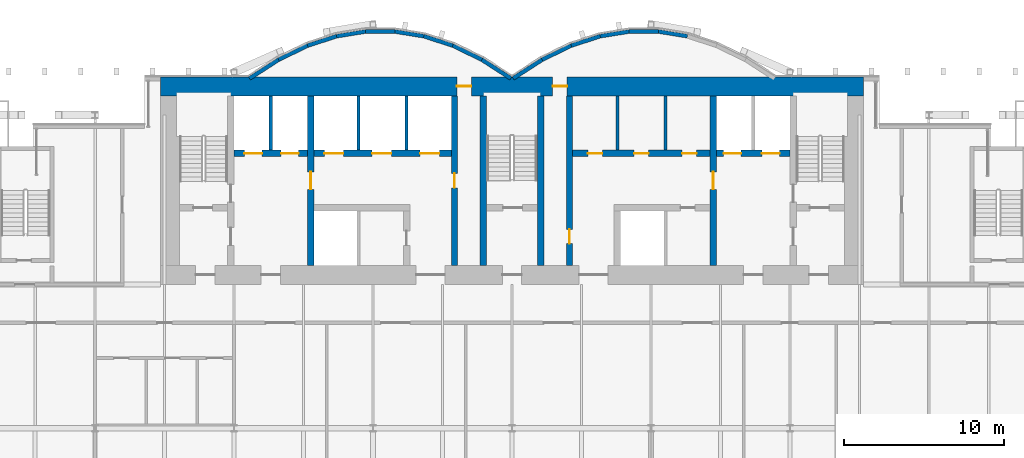
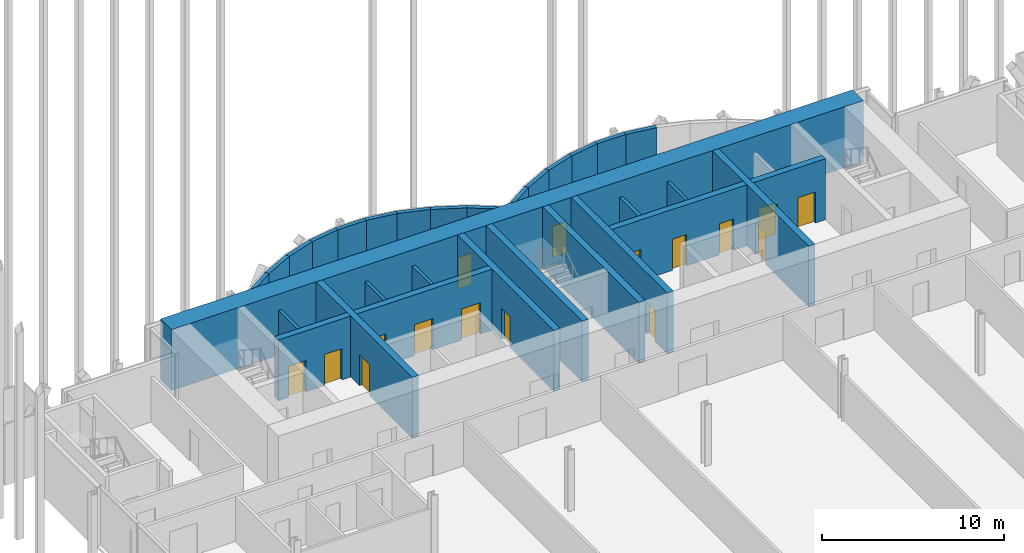
# One storey, part 19 of 22: 29 walls, 16 doors, 16 openings.
"""IFC4 building model written with IfcOpenShell, lengths in metres."""

from ifc_helpers import new_model, si_unit, direction, frame, frame_2d, origin, place, context, subcontext, project, spatial, rectangle, extrude, material, layer, layer_set, layer_usage, type_object, element, fill, save


model = new_model("IFC4")

# Units and contexts
model_context = context("Model", 3, precision=1e-05, world=origin(), true_north=direction((0.0, 1.0)))
body_context = subcontext(model_context, "Body", "Model", "MODEL_VIEW")
ifc_project = project(units=[si_unit("LENGTHUNIT", "METRE"), si_unit("AREAUNIT", "SQUARE_METRE"), si_unit("VOLUMEUNIT", "CUBIC_METRE"), si_unit("PLANEANGLEUNIT", "RADIAN"), si_unit("MASSUNIT", "GRAM", prefix="KILO")], contexts=[model_context])

# Site, building, storey
site_placement = place(None, origin())
site = spatial("IfcSite", under=ifc_project, at=site_placement, CompositionType="ELEMENT")
building_placement = place(site_placement, origin())
building = spatial("IfcBuilding", under=site, at=building_placement, Name="Bicima Exchange Tower", CompositionType="ELEMENT")
storey_placement = place(building_placement, frame((0.0, 0.0, 89.89990234375)))
storey = spatial("IfcBuildingStorey", under=building, at=storey_placement, Name="L18", CompositionType="ELEMENT", Elevation=89.89990234375)

# Walls
ifc_material_1 = material(Name="Gypsum board partition")
ifc_layer_1 = layer(ifc_material_1, 0.199951171875)
ifc_layer_set_1 = layer_set([ifc_layer_1], Name="Gypsum board partition")
wall_type_1 = type_object("IfcWallType", Name="Fire-rated gypsum partition 200 EI120", PredefinedType="PARTITIONING", material=ifc_layer_set_1)
for number, where, z_axis, x_axis, name in (
    (1, (-15.10009765625, -4.60009765625, 0.0), (0.0, 0.0, 1.0), (0.0, 1.0, 0.0), "partition wall 9"),
    (2, (-9.60009765625, -4.60009765625, 0.0), (0.0, 0.0, 1.0), (0.0, 1.0, 0.0), "partition wall 12"),
    (3, (-6.60009765625, -4.60009765625, 0.0), (0.0, 0.0, 1.0), (0.0, 1.0, 0.0), "partition wall 14"),
):
    element("IfcWall", number, at=place(storey_placement, frame(where, z_axis=z_axis, x_axis=x_axis)), inside=storey, type_object=wall_type_1, Name=name, PredefinedType="PARTITIONING", context=body_context, shape_type="SweptSolid", body=[
        extrude(rectangle(XDim=3.400146484375, YDim=0.199951171875, at=frame_2d((1.7001953125, 0.0))), origin(), (0.0, 0.0, 1.0), 3.018310546875),
    ])
ifc_layer_2 = layer(ifc_material_1, 0.199951171875)
ifc_layer_set_2 = layer_set([ifc_layer_2], Name="Gypsum board partition")
wall_type_2 = type_object("IfcWallType", Name="Fire-rated gypsum partition 200 EI60", PredefinedType="PARTITIONING", material=ifc_layer_set_2)
for number, where, z_axis, x_axis, name in (
    (4, (6.60009765625, -4.60009765625, 0.0), (0.0, 0.0, 1.0), (0.0, 1.0, 0.0), "partition wall 20"),
    (5, (9.60009765625, -4.60009765625, 0.0), (0.0, 0.0, 1.0), (0.0, 1.0, 0.0), "partition wall 22"),
):
    element("IfcWall", number, at=place(storey_placement, frame(where, z_axis=z_axis, x_axis=x_axis)), inside=storey, type_object=wall_type_2, Name=name, PredefinedType="PARTITIONING", context=body_context, shape_type="SweptSolid", body=[
        extrude(rectangle(XDim=3.400146484375, YDim=0.199951171875, at=frame_2d((1.7001953125, 0.0))), origin(), (0.0, 0.0, 1.0), 3.018310546875),
    ])

# Wall, openings, doors
ifc_material_2 = material(Name="Concrete C60/75", Category="concrete")
ifc_layer_3 = layer(ifc_material_2, 1.199951171875)
ifc_layer_set_3 = layer_set([ifc_layer_3], Name="Concrete C60/75")
wall_type_3 = type_object("IfcWallType", Name="RC core wall 1200 C60/75", PredefinedType="SHEAR", material=ifc_layer_set_3)
wall_1_placement = place(storey_placement, frame((-22.0, -0.60009765625, 0.0), z_axis=(0.0, 0.0, 1.0), x_axis=(1.0, 0.0, 0.0)))
wall_1 = element("IfcWall", 6, at=wall_1_placement, inside=storey, type_object=wall_type_3, Name="Core wall north", PredefinedType="SHEAR", context=body_context, shape_type="SweptSolid", body=[
    extrude(rectangle(XDim=44.0, YDim=1.199951171875, at=frame_2d((22.0, 0.0))), origin(), (0.0, 0.0, 1.0), 4.10009765625),
])
opening_1_placement = place(wall_1_placement, frame((18.550048828125, 0.0, 0.0)))
opening_1 = element("IfcOpeningElement", 7, at=opening_1_placement, cuts=wall_1, Name="Opening L18-C17", PredefinedType="OPENING", context=body_context, shape_type="SweptSolid", body=[
    extrude(rectangle(XDim=0.89990234375, YDim=2.10009765625, at=frame_2d((0.449951171875, 1.050048828125))), frame((0.0, 0.61181640625, 0.0), z_axis=(0.0, -1.0, 0.0), x_axis=(1.0, 0.0, 0.0)), (0.0, 0.0, 1.0), 1.223876953125),
])
opening_2_placement = place(wall_1_placement, frame((24.550048828125, 0.0, 0.0)))
opening_2 = element("IfcOpeningElement", 8, at=opening_2_placement, cuts=wall_1, Name="Opening L18-C18", PredefinedType="OPENING", context=body_context, shape_type="SweptSolid", body=[
    extrude(rectangle(XDim=0.89990234375, YDim=2.10009765625, at=frame_2d((0.449951171875, 1.050048828125))), frame((0.0, 0.61181640625, 0.0), z_axis=(0.0, -1.0, 0.0), x_axis=(1.0, 0.0, 0.0)), (0.0, 0.0, 1.0), 1.223876953125),
])
ifc_material_3 = material(Name="Steel fire door leaf", Category="steel")
door_type_1 = type_object("IfcDoorType", Name="Door 900 swing FD30S", OperationType="SINGLE_SWING_LEFT", PredefinedType="DOOR", material=ifc_material_3)
door_1_placement = place(opening_1_placement, origin())
door_1 = element("IfcDoor", 9, at=door_1_placement, inside=storey, type_object=door_type_1, Name="Core door", OperationType="SINGLE_SWING_LEFT", OverallHeight=2.10009765625, OverallWidth=0.89990234375, PredefinedType="DOOR", context=body_context, shape_type="SweptSolid", body=[
    extrude(rectangle(XDim=0.89990234375, YDim=2.10009765625, at=frame_2d((0.449951171875, 1.050048828125))), frame((0.0, 0.02490234375, 0.0), z_axis=(0.0, -1.0, 0.0), x_axis=(1.0, 0.0, 0.0)), (0.0, 0.0, 1.0), 0.050048828125),
])
fill(opening_1, door_1)
door_2_placement = place(opening_2_placement, origin())
door_2 = element("IfcDoor", 10, at=door_2_placement, inside=storey, type_object=door_type_1, Name="Core door", OperationType="SINGLE_SWING_LEFT", OverallHeight=2.10009765625, OverallWidth=0.89990234375, PredefinedType="DOOR", context=body_context, shape_type="SweptSolid", body=[
    extrude(rectangle(XDim=0.89990234375, YDim=2.10009765625, at=frame_2d((0.449951171875, 1.050048828125))), frame((0.0, 0.02490234375, 0.0), z_axis=(0.0, -1.0, 0.0), x_axis=(1.0, 0.0, 0.0)), (0.0, 0.0, 1.0), 0.050048828125),
])
fill(opening_2, door_2)

# Walls
ifc_material_4 = material(Name="Concrete C50/60", Category="concrete")
ifc_layer_4 = layer(ifc_material_4, 0.39990234375)
ifc_layer_set_4 = layer_set([ifc_layer_4], Name="Concrete C50/60")
wall_type_4 = type_object("IfcWallType", Name="RC core wall 400 C50/60", PredefinedType="SHEAR", material=ifc_layer_set_4)
for number, where, z_axis, x_axis, name in (
    (11, (-1.800048828125, -11.800048828125, 0.0), (0.0, 0.0, 1.0), (0.0, 1.0, 0.0), "stair wall 16"),
    (12, (1.800048828125, -11.800048828125, 0.0), (0.0, 0.0, 1.0), (0.0, 1.0, 0.0), "stair wall 17"),
):
    element("IfcWall", number, at=place(storey_placement, frame(where, z_axis=z_axis, x_axis=x_axis)), inside=storey, type_object=wall_type_4, Name=name, PredefinedType="SHEAR", context=body_context, shape_type="SweptSolid", body=[
        extrude(rectangle(XDim=10.60009765625, YDim=0.39990234375, at=frame_2d((5.300048828125, 0.0))), origin(), (0.0, 0.0, 1.0), 4.10009765625),
    ])

# Wall, openings, doors
ifc_layer_5 = layer(ifc_material_2, 0.39990234375)
ifc_layer_set_5 = layer_set([ifc_layer_5], Name="Concrete C60/75")
wall_type_5 = type_object("IfcWallType", Name="RC core wall 400 C60/75", PredefinedType="SHEAR", material=ifc_layer_set_5)
wall_2_placement = place(storey_placement, frame((-17.39990234375, -4.800048828125, 0.0), z_axis=(0.0, 0.0, 1.0), x_axis=(1.0, 0.0, 0.0)))
wall_2 = element("IfcWall", 13, at=wall_2_placement, inside=storey, type_object=wall_type_5, Name="shear wall 6", PredefinedType="SHEAR", context=body_context, shape_type="SweptSolid", body=[
    extrude(rectangle(XDim=13.599853515625, YDim=0.39990234375, at=frame_2d((6.7998046875, 0.0))), origin(), (0.0, 0.0, 1.0), 4.10009765625),
])
opening_3_placement = place(wall_2_placement, frame((0.64990234375, 0.0, 0.0)))
opening_3 = element("IfcOpeningElement", 14, at=opening_3_placement, cuts=wall_2, Name="Opening LD-FF1-L18", PredefinedType="OPENING", context=body_context, shape_type="SweptSolid", body=[
    extrude(rectangle(XDim=1.10009765625, YDim=2.10009765625, at=frame_2d((0.550048828125, 1.050048828125))), frame((0.0, 0.2119140625, 0.0), z_axis=(0.0, -1.0, 0.0), x_axis=(1.0, 0.0, 0.0)), (0.0, 0.0, 1.0), 0.423828125),
])
opening_4_placement = place(wall_2_placement, frame((2.949951171875, 0.0, 0.0)))
opening_4 = element("IfcOpeningElement", 15, at=opening_4_placement, cuts=wall_2, Name="Opening LD-FF3-L18", PredefinedType="OPENING", context=body_context, shape_type="SweptSolid", body=[
    extrude(rectangle(XDim=1.10009765625, YDim=2.10009765625, at=frame_2d((0.550048828125, 1.050048828125))), frame((0.0, 0.2119140625, 0.0), z_axis=(0.0, -1.0, 0.0), x_axis=(1.0, 0.0, 0.0)), (0.0, 0.0, 1.0), 0.423828125),
])
opening_5_placement = place(wall_2_placement, frame((5.64990234375, 0.0, 0.0)))
opening_5 = element("IfcOpeningElement", 16, at=opening_5_placement, cuts=wall_2, Name="Opening LD-LB1-L18", PredefinedType="OPENING", context=body_context, shape_type="SweptSolid", body=[
    extrude(rectangle(XDim=1.199951171875, YDim=2.10009765625, at=frame_2d((0.60009765625, 1.050048828125))), frame((0.0, 0.2119140625, 0.0), z_axis=(0.0, -1.0, 0.0), x_axis=(1.0, 0.0, 0.0)), (0.0, 0.0, 1.0), 0.423828125),
])
opening_6_placement = place(wall_2_placement, frame((8.64990234375, 0.0, 0.0)))
opening_6 = element("IfcOpeningElement", 17, at=opening_6_placement, cuts=wall_2, Name="Opening LD-LB2-L18", PredefinedType="OPENING", context=body_context, shape_type="SweptSolid", body=[
    extrude(rectangle(XDim=1.199951171875, YDim=2.10009765625, at=frame_2d((0.60009765625, 1.050048828125))), frame((0.0, 0.2119140625, 0.0), z_axis=(0.0, -1.0, 0.0), x_axis=(1.0, 0.0, 0.0)), (0.0, 0.0, 1.0), 0.423828125),
])
opening_7_placement = place(wall_2_placement, frame((11.64990234375, 0.0, 0.0)))
opening_7 = element("IfcOpeningElement", 18, at=opening_7_placement, cuts=wall_2, Name="Opening LD-LB3-L18", PredefinedType="OPENING", context=body_context, shape_type="SweptSolid", body=[
    extrude(rectangle(XDim=1.199951171875, YDim=2.10009765625, at=frame_2d((0.60009765625, 1.050048828125))), frame((0.0, 0.2119140625, 0.0), z_axis=(0.0, -1.0, 0.0), x_axis=(1.0, 0.0, 0.0)), (0.0, 0.0, 1.0), 0.423828125),
])
ifc_material_5 = material(Name="Stainless steel", Category="steel")
door_type_2 = type_object("IfcDoorType", Name="Lift landing door 1100 sliding", OperationType="DOUBLE_DOOR_SLIDING", PredefinedType="DOOR", material=ifc_material_5)
door_3_placement = place(opening_3_placement, origin())
door_3 = element("IfcDoor", 19, at=door_3_placement, inside=storey, type_object=door_type_2, Name="Lift landing door FF1", OperationType="DOUBLE_DOOR_SLIDING", OverallHeight=2.10009765625, OverallWidth=1.10009765625, PredefinedType="DOOR", context=body_context, shape_type="SweptSolid", body=[
    extrude(rectangle(XDim=1.10009765625, YDim=2.10009765625, at=frame_2d((0.550048828125, 1.050048828125))), frame((0.0, 0.02490234375, 0.0), z_axis=(0.0, -1.0, 0.0), x_axis=(1.0, 0.0, 0.0)), (0.0, 0.0, 1.0), 0.050048828125),
])
fill(opening_3, door_3)
door_4_placement = place(opening_4_placement, origin())
door_4 = element("IfcDoor", 20, at=door_4_placement, inside=storey, type_object=door_type_2, Name="Lift landing door FF3", OperationType="DOUBLE_DOOR_SLIDING", OverallHeight=2.10009765625, OverallWidth=1.10009765625, PredefinedType="DOOR", context=body_context, shape_type="SweptSolid", body=[
    extrude(rectangle(XDim=1.10009765625, YDim=2.10009765625, at=frame_2d((0.550048828125, 1.050048828125))), frame((0.0, 0.02490234375, 0.0), z_axis=(0.0, -1.0, 0.0), x_axis=(1.0, 0.0, 0.0)), (0.0, 0.0, 1.0), 0.050048828125),
])
fill(opening_4, door_4)
door_type_3 = type_object("IfcDoorType", Name="Lift landing door 1200 sliding", OperationType="DOUBLE_DOOR_SLIDING", PredefinedType="DOOR", material=ifc_material_5)
door_5_placement = place(opening_5_placement, origin())
door_5 = element("IfcDoor", 21, at=door_5_placement, inside=storey, type_object=door_type_3, Name="Lift landing door LB1", OperationType="DOUBLE_DOOR_SLIDING", OverallHeight=2.10009765625, OverallWidth=1.199951171875, PredefinedType="DOOR", context=body_context, shape_type="SweptSolid", body=[
    extrude(rectangle(XDim=1.199951171875, YDim=2.10009765625, at=frame_2d((0.60009765625, 1.050048828125))), frame((0.0, 0.02490234375, 0.0), z_axis=(0.0, -1.0, 0.0), x_axis=(1.0, 0.0, 0.0)), (0.0, 0.0, 1.0), 0.050048828125),
])
fill(opening_5, door_5)
door_6_placement = place(opening_6_placement, origin())
door_6 = element("IfcDoor", 22, at=door_6_placement, inside=storey, type_object=door_type_3, Name="Lift landing door LB2", OperationType="DOUBLE_DOOR_SLIDING", OverallHeight=2.10009765625, OverallWidth=1.199951171875, PredefinedType="DOOR", context=body_context, shape_type="SweptSolid", body=[
    extrude(rectangle(XDim=1.199951171875, YDim=2.10009765625, at=frame_2d((0.60009765625, 1.050048828125))), frame((0.0, 0.02490234375, 0.0), z_axis=(0.0, -1.0, 0.0), x_axis=(1.0, 0.0, 0.0)), (0.0, 0.0, 1.0), 0.050048828125),
])
fill(opening_6, door_6)
door_7_placement = place(opening_7_placement, origin())
door_7 = element("IfcDoor", 23, at=door_7_placement, inside=storey, type_object=door_type_3, Name="Lift landing door LB3", OperationType="DOUBLE_DOOR_SLIDING", OverallHeight=2.10009765625, OverallWidth=1.199951171875, PredefinedType="DOOR", context=body_context, shape_type="SweptSolid", body=[
    extrude(rectangle(XDim=1.199951171875, YDim=2.10009765625, at=frame_2d((0.60009765625, 1.050048828125))), frame((0.0, 0.02490234375, 0.0), z_axis=(0.0, -1.0, 0.0), x_axis=(1.0, 0.0, 0.0)), (0.0, 0.0, 1.0), 0.050048828125),
])
fill(opening_7, door_7)

wall_3_placement = place(storey_placement, frame((3.800048828125, -4.800048828125, 0.0), z_axis=(0.0, 0.0, 1.0), x_axis=(1.0, 0.0, 0.0)))
wall_3 = element("IfcWall", 24, at=wall_3_placement, inside=storey, type_object=wall_type_5, Name="shear wall 7", PredefinedType="SHEAR", context=body_context, shape_type="SweptSolid", body=[
    extrude(rectangle(XDim=13.599853515625, YDim=0.39990234375, at=frame_2d((6.7998046875, 0.0))), origin(), (0.0, 0.0, 1.0), 4.10009765625),
])
opening_8_placement = place(wall_3_placement, frame((9.449951171875, 0.0, 0.0)))
opening_8 = element("IfcOpeningElement", 25, at=opening_8_placement, cuts=wall_3, Name="Opening LD-FF2-L18", PredefinedType="OPENING", context=body_context, shape_type="SweptSolid", body=[
    extrude(rectangle(XDim=1.10009765625, YDim=2.10009765625, at=frame_2d((0.550048828125, 1.050048828125))), frame((0.0, 0.2119140625, 0.0), z_axis=(0.0, -1.0, 0.0), x_axis=(1.0, 0.0, 0.0)), (0.0, 0.0, 1.0), 0.423828125),
])
opening_9_placement = place(wall_3_placement, frame((11.85009765625, 0.0, 0.0)))
opening_9 = element("IfcOpeningElement", 26, at=opening_9_placement, cuts=wall_3, Name="Opening LD-SV1-L18", PredefinedType="OPENING", context=body_context, shape_type="SweptSolid", body=[
    extrude(rectangle(XDim=1.10009765625, YDim=2.10009765625, at=frame_2d((0.550048828125, 1.050048828125))), frame((0.0, 0.2119140625, 0.0), z_axis=(0.0, -1.0, 0.0), x_axis=(1.0, 0.0, 0.0)), (0.0, 0.0, 1.0), 0.423828125),
])
opening_10_placement = place(wall_3_placement, frame((0.949951171875, 0.0, 0.0)))
opening_10 = element("IfcOpeningElement", 27, at=opening_10_placement, cuts=wall_3, Name="Opening L18-C12", PredefinedType="OPENING", context=body_context, shape_type="SweptSolid", body=[
    extrude(rectangle(XDim=0.89990234375, YDim=2.10009765625, at=frame_2d((0.449951171875, 1.050048828125))), frame((0.0, 0.2119140625, 0.0), z_axis=(0.0, -1.0, 0.0), x_axis=(1.0, 0.0, 0.0)), (0.0, 0.0, 1.0), 0.423828125),
])
opening_11_placement = place(wall_3_placement, frame((3.85009765625, 0.0, 0.0)))
opening_11 = element("IfcOpeningElement", 28, at=opening_11_placement, cuts=wall_3, Name="Opening L18-C13", PredefinedType="OPENING", context=body_context, shape_type="SweptSolid", body=[
    extrude(rectangle(XDim=0.89990234375, YDim=2.10009765625, at=frame_2d((0.449951171875, 1.050048828125))), frame((0.0, 0.2119140625, 0.0), z_axis=(0.0, -1.0, 0.0), x_axis=(1.0, 0.0, 0.0)), (0.0, 0.0, 1.0), 0.423828125),
])
opening_12_placement = place(wall_3_placement, frame((6.85009765625, 0.0, 0.0)))
opening_12 = element("IfcOpeningElement", 29, at=opening_12_placement, cuts=wall_3, Name="Opening L18-C14", PredefinedType="OPENING", context=body_context, shape_type="SweptSolid", body=[
    extrude(rectangle(XDim=0.89990234375, YDim=2.10009765625, at=frame_2d((0.449951171875, 1.050048828125))), frame((0.0, 0.2119140625, 0.0), z_axis=(0.0, -1.0, 0.0), x_axis=(1.0, 0.0, 0.0)), (0.0, 0.0, 1.0), 0.423828125),
])
door_8_placement = place(opening_10_placement, origin())
door_8 = element("IfcDoor", 30, at=door_8_placement, inside=storey, type_object=door_type_1, Name="Core door", OperationType="SINGLE_SWING_RIGHT", OverallHeight=2.10009765625, OverallWidth=0.89990234375, PredefinedType="DOOR", context=body_context, shape_type="SweptSolid", body=[
    extrude(rectangle(XDim=0.89990234375, YDim=2.10009765625, at=frame_2d((0.449951171875, 1.050048828125))), frame((0.0, 0.02490234375, 0.0), z_axis=(0.0, -1.0, 0.0), x_axis=(1.0, 0.0, 0.0)), (0.0, 0.0, 1.0), 0.050048828125),
])
fill(opening_10, door_8)
door_9_placement = place(opening_11_placement, origin())
door_9 = element("IfcDoor", 31, at=door_9_placement, inside=storey, type_object=door_type_1, Name="Core door", OperationType="SINGLE_SWING_LEFT", OverallHeight=2.10009765625, OverallWidth=0.89990234375, PredefinedType="DOOR", context=body_context, shape_type="SweptSolid", body=[
    extrude(rectangle(XDim=0.89990234375, YDim=2.10009765625, at=frame_2d((0.449951171875, 1.050048828125))), frame((0.0, 0.02490234375, 0.0), z_axis=(0.0, -1.0, 0.0), x_axis=(1.0, 0.0, 0.0)), (0.0, 0.0, 1.0), 0.050048828125),
])
fill(opening_11, door_9)
door_10_placement = place(opening_12_placement, origin())
door_10 = element("IfcDoor", 32, at=door_10_placement, inside=storey, type_object=door_type_1, Name="Core door", OperationType="SINGLE_SWING_RIGHT", OverallHeight=2.10009765625, OverallWidth=0.89990234375, PredefinedType="DOOR", context=body_context, shape_type="SweptSolid", body=[
    extrude(rectangle(XDim=0.89990234375, YDim=2.10009765625, at=frame_2d((0.449951171875, 1.050048828125))), frame((0.0, 0.02490234375, 0.0), z_axis=(0.0, -1.0, 0.0), x_axis=(1.0, 0.0, 0.0)), (0.0, 0.0, 1.0), 0.050048828125),
])
fill(opening_12, door_10)
door_11_placement = place(opening_8_placement, origin())
door_11 = element("IfcDoor", 33, at=door_11_placement, inside=storey, type_object=door_type_2, Name="Lift landing door FF2", OperationType="DOUBLE_DOOR_SLIDING", OverallHeight=2.10009765625, OverallWidth=1.10009765625, PredefinedType="DOOR", context=body_context, shape_type="SweptSolid", body=[
    extrude(rectangle(XDim=1.10009765625, YDim=2.10009765625, at=frame_2d((0.550048828125, 1.050048828125))), frame((0.0, 0.02490234375, 0.0), z_axis=(0.0, -1.0, 0.0), x_axis=(1.0, 0.0, 0.0)), (0.0, 0.0, 1.0), 0.050048828125),
])
fill(opening_8, door_11)
door_12_placement = place(opening_9_placement, origin())
door_12 = element("IfcDoor", 34, at=door_12_placement, inside=storey, type_object=door_type_2, Name="Lift landing door SV1", OperationType="DOUBLE_DOOR_SLIDING", OverallHeight=2.10009765625, OverallWidth=1.10009765625, PredefinedType="DOOR", context=body_context, shape_type="SweptSolid", body=[
    extrude(rectangle(XDim=1.10009765625, YDim=2.10009765625, at=frame_2d((0.550048828125, 1.050048828125))), frame((0.0, 0.02490234375, 0.0), z_axis=(0.0, -1.0, 0.0), x_axis=(1.0, 0.0, 0.0)), (0.0, 0.0, 1.0), 0.050048828125),
])
fill(opening_9, door_12)

# Wall, opening, door
wall_4_placement = place(storey_placement, frame((-12.60009765625, -11.800048828125, 0.0), z_axis=(0.0, 0.0, 1.0), x_axis=(0.0, 1.0, 0.0)))
wall_4 = element("IfcWall", 35, at=wall_4_placement, inside=storey, type_object=wall_type_5, Name="shear wall 10", PredefinedType="SHEAR", context=body_context, shape_type="SweptSolid", body=[
    extrude(rectangle(XDim=10.60009765625, YDim=0.39990234375, at=frame_2d((5.300048828125, 0.0))), origin(), (0.0, 0.0, 1.0), 4.10009765625),
])
opening_13_placement = place(wall_4_placement, frame((4.75, 0.0, 0.0)))
opening_13 = element("IfcOpeningElement", 36, at=opening_13_placement, cuts=wall_4, Name="Opening L18-C07", PredefinedType="OPENING", context=body_context, shape_type="SweptSolid", body=[
    extrude(rectangle(XDim=1.10009765625, YDim=2.10009765625, at=frame_2d((0.550048828125, 1.050048828125))), frame((0.0, 0.2119140625, 0.0), z_axis=(0.0, -1.0, 0.0), x_axis=(1.0, 0.0, 0.0)), (0.0, 0.0, 1.0), 0.423828125),
])
door_type_4 = type_object("IfcDoorType", Name="Door 1100 swing FD60S", OperationType="SINGLE_SWING_LEFT", PredefinedType="DOOR", material=ifc_material_3)
door_13_placement = place(opening_13_placement, origin())
door_13 = element("IfcDoor", 37, at=door_13_placement, inside=storey, type_object=door_type_4, Name="Core door", OperationType="SINGLE_SWING_LEFT", OverallHeight=2.10009765625, OverallWidth=1.10009765625, PredefinedType="DOOR", context=body_context, shape_type="SweptSolid", body=[
    extrude(rectangle(XDim=1.10009765625, YDim=2.10009765625, at=frame_2d((0.550048828125, 1.050048828125))), frame((0.0, 0.02490234375, 0.0), z_axis=(0.0, -1.0, 0.0), x_axis=(1.0, 0.0, 0.0)), (0.0, 0.0, 1.0), 0.050048828125),
])
fill(opening_13, door_13)

wall_5_placement = place(storey_placement, frame((-3.60009765625, -11.800048828125, 0.0), z_axis=(0.0, 0.0, 1.0), x_axis=(0.0, 1.0, 0.0)))
wall_5 = element("IfcWall", 38, at=wall_5_placement, inside=storey, type_object=wall_type_5, Name="shear wall 15", PredefinedType="SHEAR", context=body_context, shape_type="SweptSolid", body=[
    extrude(rectangle(XDim=10.60009765625, YDim=0.39990234375, at=frame_2d((5.300048828125, 0.0))), origin(), (0.0, 0.0, 1.0), 4.10009765625),
])
opening_14_placement = place(wall_5_placement, frame((4.85009765625, 0.0, 0.0)))
opening_14 = element("IfcOpeningElement", 39, at=opening_14_placement, cuts=wall_5, Name="Opening L18-C10", PredefinedType="OPENING", context=body_context, shape_type="SweptSolid", body=[
    extrude(rectangle(XDim=0.89990234375, YDim=2.10009765625, at=frame_2d((0.449951171875, 1.050048828125))), frame((0.0, 0.2119140625, 0.0), z_axis=(0.0, -1.0, 0.0), x_axis=(1.0, 0.0, 0.0)), (0.0, 0.0, 1.0), 0.423828125),
])
door_14_placement = place(opening_14_placement, frame((0.89990234375, 0.0, 0.0), z_axis=(0.0, 0.0, 1.0), x_axis=(-1.0, 0.0, 0.0)))
door_14 = element("IfcDoor", 40, at=door_14_placement, inside=storey, type_object=door_type_1, Name="Core door", OperationType="SINGLE_SWING_LEFT", OverallHeight=2.10009765625, OverallWidth=0.89990234375, PredefinedType="DOOR", context=body_context, shape_type="SweptSolid", body=[
    extrude(rectangle(XDim=0.89990234375, YDim=2.10009765625, at=frame_2d((0.449951171875, 1.050048828125))), frame((0.0, 0.02490234375, 0.0), z_axis=(0.0, -1.0, 0.0), x_axis=(1.0, 0.0, 0.0)), (0.0, 0.0, 1.0), 0.050048828125),
])
fill(opening_14, door_14)

wall_6_placement = place(storey_placement, frame((3.60009765625, -11.800048828125, 0.0), z_axis=(0.0, 0.0, 1.0), x_axis=(0.0, 1.0, 0.0)))
wall_6 = element("IfcWall", 41, at=wall_6_placement, inside=storey, type_object=wall_type_5, Name="shear wall 18", PredefinedType="SHEAR", context=body_context, shape_type="SweptSolid", body=[
    extrude(rectangle(XDim=10.60009765625, YDim=0.39990234375, at=frame_2d((5.300048828125, 0.0))), origin(), (0.0, 0.0, 1.0), 4.10009765625),
])
opening_15_placement = place(wall_6_placement, frame((1.35009765625, 0.0, 0.0)))
opening_15 = element("IfcOpeningElement", 42, at=opening_15_placement, cuts=wall_6, Name="Opening L18-C11", PredefinedType="OPENING", context=body_context, shape_type="SweptSolid", body=[
    extrude(rectangle(XDim=0.89990234375, YDim=2.10009765625, at=frame_2d((0.449951171875, 1.050048828125))), frame((0.0, 0.2119140625, 0.0), z_axis=(0.0, -1.0, 0.0), x_axis=(1.0, 0.0, 0.0)), (0.0, 0.0, 1.0), 0.423828125),
])
door_15_placement = place(opening_15_placement, origin())
door_15 = element("IfcDoor", 43, at=door_15_placement, inside=storey, type_object=door_type_1, Name="Core door", OperationType="SINGLE_SWING_LEFT", OverallHeight=2.10009765625, OverallWidth=0.89990234375, PredefinedType="DOOR", context=body_context, shape_type="SweptSolid", body=[
    extrude(rectangle(XDim=0.89990234375, YDim=2.10009765625, at=frame_2d((0.449951171875, 1.050048828125))), frame((0.0, 0.02490234375, 0.0), z_axis=(0.0, -1.0, 0.0), x_axis=(1.0, 0.0, 0.0)), (0.0, 0.0, 1.0), 0.050048828125),
])
fill(opening_15, door_15)

wall_7_placement = place(storey_placement, frame((12.60009765625, -11.800048828125, 0.0), z_axis=(0.0, 0.0, 1.0), x_axis=(0.0, 1.0, 0.0)))
wall_7 = element("IfcWall", 44, at=wall_7_placement, inside=storey, type_object=wall_type_5, Name="shear wall 23", PredefinedType="SHEAR", context=body_context, shape_type="SweptSolid", body=[
    extrude(rectangle(XDim=10.60009765625, YDim=0.39990234375, at=frame_2d((5.300048828125, 0.0))), origin(), (0.0, 0.0, 1.0), 4.10009765625),
])
opening_16_placement = place(wall_7_placement, frame((4.75, 0.0, 0.0)))
opening_16 = element("IfcOpeningElement", 45, at=opening_16_placement, cuts=wall_7, Name="Opening L18-C09", PredefinedType="OPENING", context=body_context, shape_type="SweptSolid", body=[
    extrude(rectangle(XDim=1.10009765625, YDim=2.10009765625, at=frame_2d((0.550048828125, 1.050048828125))), frame((0.0, 0.2119140625, 0.0), z_axis=(0.0, -1.0, 0.0), x_axis=(1.0, 0.0, 0.0)), (0.0, 0.0, 1.0), 0.423828125),
])
door_16_placement = place(opening_16_placement, frame((1.10009765625, 0.0, 0.0), z_axis=(0.0, 0.0, 1.0), x_axis=(-1.0, 0.0, 0.0)))
door_16 = element("IfcDoor", 46, at=door_16_placement, inside=storey, type_object=door_type_4, Name="Core door", OperationType="SINGLE_SWING_RIGHT", OverallHeight=2.10009765625, OverallWidth=1.10009765625, PredefinedType="DOOR", context=body_context, shape_type="SweptSolid", body=[
    extrude(rectangle(XDim=1.10009765625, YDim=2.10009765625, at=frame_2d((0.550048828125, 1.050048828125))), frame((0.0, 0.02490234375, 0.0), z_axis=(0.0, -1.0, 0.0), x_axis=(1.0, 0.0, 0.0)), (0.0, 0.0, 1.0), 0.050048828125),
])
fill(opening_16, door_16)

# Walls
ifc_material_6 = material(Name="Concrete C40/50", Category="concrete")
ifc_layer_6 = layer(ifc_material_6, 0.25)
ifc_layer_set_6 = layer_set([ifc_layer_6], Name="Concrete C40/50")
ifc_layer_usage = layer_usage(ifc_layer_set_6, "AXIS2", "POSITIVE", -0.125)
wall_type_6 = type_object("IfcWallType", Name="Rear backup wall 250", PredefinedType="STANDARD", material=ifc_layer_set_6)
wall_8_placement = place(storey_placement, frame((10.97998046875, 2.543212890625, 0.0), z_axis=(0.0, 0.0, 1.0), x_axis=(-0.987181718931, 0.159600293885, 0.0)))
element("IfcWall", 47, at=wall_8_placement, inside=storey, type_object=wall_type_6, material=ifc_layer_usage, Name="Rear backup wall L18 11", PredefinedType="STANDARD", context=body_context, shape_type="SweptSolid", body=[
    extrude(rectangle(XDim=1.857177734375, YDim=0.25, at=frame_2d((0.9287109375, 0.0))), origin(), (0.0, 0.0, 1.0), 3.9501953125),
])
wall_9_placement = place(storey_placement, frame((9.166748046875, 2.837890625, 0.0), z_axis=(0.0, 0.0, 1.0), x_axis=(-1.0, 0.0, 0.0)))
element("IfcWall", 48, at=wall_9_placement, inside=storey, type_object=wall_type_6, material=ifc_layer_usage, Name="Rear backup wall L18 12", PredefinedType="STANDARD", context=body_context, shape_type="SweptSolid", body=[
    extrude(rectangle(XDim=1.83349609375, YDim=0.25, at=frame_2d((0.916748046875, 0.0))), origin(), (0.0, 0.0, 1.0), 3.9501953125),
])
wall_10_placement = place(storey_placement, frame((7.353271484375, 2.839599609375, 0.0), z_axis=(0.0, 0.0, 1.0), x_axis=(-0.987181718931, -0.159600293885, 0.0)))
element("IfcWall", 49, at=wall_10_placement, inside=storey, type_object=wall_type_6, material=ifc_layer_usage, Name="Rear backup wall L18 13", PredefinedType="STANDARD", context=body_context, shape_type="SweptSolid", body=[
    extrude(rectangle(XDim=1.857177734375, YDim=0.25, at=frame_2d((0.9287109375, 0.0))), origin(), (0.0, 0.0, 1.0), 3.9501953125),
])
wall_11_placement = place(storey_placement, frame((5.538330078125, 2.5478515625, 0.0), z_axis=(0.0, 0.0, 1.0), x_axis=(-0.951495806175, -0.307661714928, 0.0)))
element("IfcWall", 50, at=wall_11_placement, inside=storey, type_object=wall_type_6, material=ifc_layer_usage, Name="Rear backup wall L18 14", PredefinedType="STANDARD", context=body_context, shape_type="SweptSolid", body=[
    extrude(rectangle(XDim=1.9267578125, YDim=0.25, at=frame_2d((0.96337890625, 0.0))), origin(), (0.0, 0.0, 1.0), 3.9501953125),
])
wall_12_placement = place(storey_placement, frame((3.72119140625, 1.961669921875, 0.0), z_axis=(0.0, 0.0, 1.0), x_axis=(-0.89982408427, -0.436252928206, 0.0)))
element("IfcWall", 51, at=wall_12_placement, inside=storey, type_object=wall_type_6, material=ifc_layer_usage, Name="Rear backup wall L18 15", PredefinedType="STANDARD", context=body_context, shape_type="SweptSolid", body=[
    extrude(rectangle(XDim=2.03759765625, YDim=0.25, at=frame_2d((1.018798828125, 0.0))), origin(), (0.0, 0.0, 1.0), 3.9501953125),
])
for number, where, z_axis, x_axis, name in (
    (52, (1.901123046875, 1.080078125, 0.0), (0.0, 0.0, 1.0), (-0.83981312244, -0.542875602121, 0.0), "Rear backup wall L18 16"),
    (53, (-0.06787109375, -0.10498046875, 0.0), (0.0, 0.0, 1.0), (-0.83981312244, 0.542875602121, 0.0), "Rear backup wall L18 17"),
):
    element("IfcWall", number, at=place(storey_placement, frame(where, z_axis=z_axis, x_axis=x_axis)), inside=storey, type_object=wall_type_6, material=ifc_layer_usage, Name=name, PredefinedType="STANDARD", context=body_context, shape_type="SweptSolid", body=[
        extrude(rectangle(XDim=2.182861328125, YDim=0.25, at=frame_2d((1.09130859375, 0.0))), origin(), (0.0, 0.0, 1.0), 3.9501953125),
    ])
wall_13_placement = place(storey_placement, frame((-1.8876953125, 1.07275390625, 0.0), z_axis=(0.0, 0.0, 1.0), x_axis=(-0.89982408427, 0.436252928206, 0.0)))
element("IfcWall", 54, at=wall_13_placement, inside=storey, type_object=wall_type_6, material=ifc_layer_usage, Name="Rear backup wall L18 18", PredefinedType="STANDARD", context=body_context, shape_type="SweptSolid", body=[
    extrude(rectangle(XDim=2.03759765625, YDim=0.25, at=frame_2d((1.018798828125, 0.0))), origin(), (0.0, 0.0, 1.0), 3.9501953125),
])
wall_14_placement = place(storey_placement, frame((-3.705078125, 1.955078125, 0.0), z_axis=(0.0, 0.0, 1.0), x_axis=(-0.951495806175, 0.307661714928, 0.0)))
element("IfcWall", 55, at=wall_14_placement, inside=storey, type_object=wall_type_6, material=ifc_layer_usage, Name="Rear backup wall L18 19", PredefinedType="STANDARD", context=body_context, shape_type="SweptSolid", body=[
    extrude(rectangle(XDim=1.9267578125, YDim=0.25, at=frame_2d((0.96337890625, 0.0))), origin(), (0.0, 0.0, 1.0), 3.9501953125),
])
wall_15_placement = place(storey_placement, frame((-5.52001953125, 2.543212890625, 0.0), z_axis=(0.0, 0.0, 1.0), x_axis=(-0.987181718931, 0.159600293885, 0.0)))
element("IfcWall", 56, at=wall_15_placement, inside=storey, type_object=wall_type_6, material=ifc_layer_usage, Name="Rear backup wall L18 20", PredefinedType="STANDARD", context=body_context, shape_type="SweptSolid", body=[
    extrude(rectangle(XDim=1.857177734375, YDim=0.25, at=frame_2d((0.9287109375, 0.0))), origin(), (0.0, 0.0, 1.0), 3.9501953125),
])
wall_16_placement = place(storey_placement, frame((-7.333251953125, 2.837890625, 0.0), z_axis=(0.0, 0.0, 1.0), x_axis=(-1.0, 0.0, 0.0)))
element("IfcWall", 57, at=wall_16_placement, inside=storey, type_object=wall_type_6, material=ifc_layer_usage, Name="Rear backup wall L18 21", PredefinedType="STANDARD", context=body_context, shape_type="SweptSolid", body=[
    extrude(rectangle(XDim=1.83349609375, YDim=0.25, at=frame_2d((0.916748046875, 0.0))), origin(), (0.0, 0.0, 1.0), 3.9501953125),
])
wall_17_placement = place(storey_placement, frame((-9.146728515625, 2.839599609375, 0.0), z_axis=(0.0, 0.0, 1.0), x_axis=(-0.987181718931, -0.159600293885, 0.0)))
element("IfcWall", 58, at=wall_17_placement, inside=storey, type_object=wall_type_6, material=ifc_layer_usage, Name="Rear backup wall L18 22", PredefinedType="STANDARD", context=body_context, shape_type="SweptSolid", body=[
    extrude(rectangle(XDim=1.857177734375, YDim=0.25, at=frame_2d((0.9287109375, 0.0))), origin(), (0.0, 0.0, 1.0), 3.9501953125),
])
wall_18_placement = place(storey_placement, frame((-10.961669921875, 2.5478515625, 0.0), z_axis=(0.0, 0.0, 1.0), x_axis=(-0.951495806175, -0.307661714928, 0.0)))
element("IfcWall", 59, at=wall_18_placement, inside=storey, type_object=wall_type_6, material=ifc_layer_usage, Name="Rear backup wall L18 23", PredefinedType="STANDARD", context=body_context, shape_type="SweptSolid", body=[
    extrude(rectangle(XDim=1.9267578125, YDim=0.25, at=frame_2d((0.96337890625, 0.0))), origin(), (0.0, 0.0, 1.0), 3.9501953125),
])
wall_19_placement = place(storey_placement, frame((-12.77880859375, 1.961669921875, 0.0), z_axis=(0.0, 0.0, 1.0), x_axis=(-0.89982408427, -0.436252928206, 0.0)))
element("IfcWall", 60, at=wall_19_placement, inside=storey, type_object=wall_type_6, material=ifc_layer_usage, Name="Rear backup wall L18 24", PredefinedType="STANDARD", context=body_context, shape_type="SweptSolid", body=[
    extrude(rectangle(XDim=2.03759765625, YDim=0.25, at=frame_2d((1.018798828125, 0.0))), origin(), (0.0, 0.0, 1.0), 3.9501953125),
])
wall_20_placement = place(storey_placement, frame((-14.598876953125, 1.080078125, 0.0), z_axis=(0.0, 0.0, 1.0), x_axis=(-0.83981312244, -0.542875602121, 0.0)))
element("IfcWall", 61, at=wall_20_placement, inside=storey, type_object=wall_type_6, material=ifc_layer_usage, Name="Rear backup wall L18 25", PredefinedType="STANDARD", context=body_context, shape_type="SweptSolid", body=[
    extrude(rectangle(XDim=2.182861328125, YDim=0.25, at=frame_2d((1.09130859375, 0.0))), origin(), (0.0, 0.0, 1.0), 3.9501953125),
])

save(model, "model.ifc")
